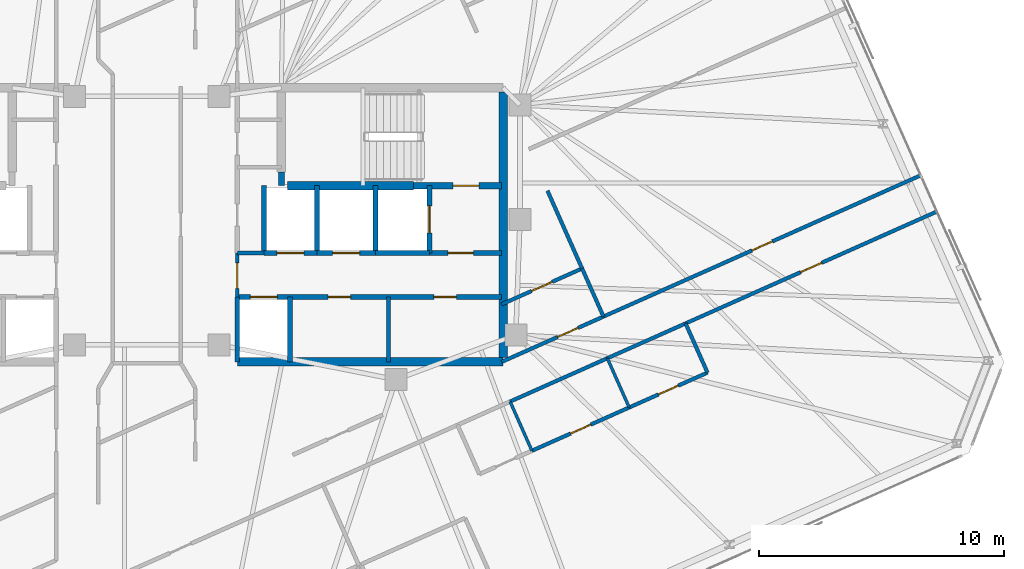
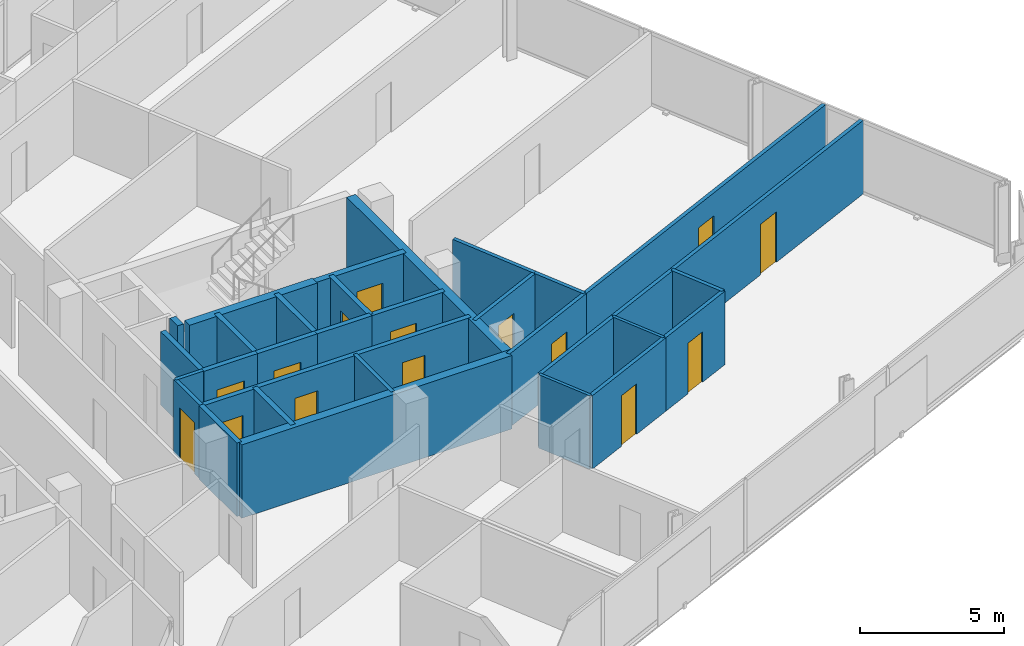
# One storey, part 15 of 19: 32 walls, 15 doors, 15 openings.
"""IFC4 building model written with IfcOpenShell, lengths in metres."""

from ifc_helpers import new_model, si_unit, direction, frame, frame_2d, origin, place, context, subcontext, project, spatial, rectangle, extrude, material, layer, layer_set, type_object, element, fill, save


model = new_model("IFC4")

# Units and contexts
model_context = context("Model", 3, precision=1e-05, world=origin(), true_north=direction((0.0, 1.0)))
body_context = subcontext(model_context, "Body", "Model", "MODEL_VIEW")
ifc_project = project(units=[si_unit("LENGTHUNIT", "METRE"), si_unit("AREAUNIT", "SQUARE_METRE"), si_unit("VOLUMEUNIT", "CUBIC_METRE"), si_unit("PLANEANGLEUNIT", "RADIAN"), si_unit("MASSUNIT", "GRAM", prefix="KILO")], contexts=[model_context])

# Site, building, storey
site_placement = place(None, origin())
site = spatial("IfcSite", under=ifc_project, at=site_placement, CompositionType="ELEMENT")
building_placement = place(site_placement, origin())
building = spatial("IfcBuilding", under=site, at=building_placement, Name="Menara Jurai Vektor", CompositionType="ELEMENT")
storey_placement = place(building_placement, frame((0.0, 0.0, 291.949951171875)))
storey = spatial("IfcBuildingStorey", under=building, at=storey_placement, Name="L78", CompositionType="ELEMENT", Elevation=291.949951171875)

# Wall, opening, door
ifc_material_1 = material(Name="Concrete C40/50", Category="concrete")
ifc_layer_1 = layer(ifc_material_1, 0.25)
ifc_layer_set_1 = layer_set([ifc_layer_1], Name="Concrete C40/50")
wall_type_1 = type_object("IfcWallType", Name="INT-WALL-CORE-250", PredefinedType="STANDARD", material=ifc_layer_set_1)
wall_1_placement = place(storey_placement, frame((10.89990234375, 1.60009765625, 0.0), z_axis=(0.0, 0.0, 1.0), x_axis=(1.0, 0.0, 0.0)))
wall_1 = element("IfcWall", 1, at=wall_1_placement, inside=storey, type_object=wall_type_1, Name="Interior Wall IW-250 L78", PredefinedType="STANDARD", context=body_context, shape_type="SweptSolid", body=[
    extrude(rectangle(XDim=3.60009765625, YDim=0.25, at=frame_2d((1.800048828125, 0.0))), origin(), (0.0, 0.0, 1.0), 3.125),
])
opening_1_placement = place(wall_1_placement, frame((1.6201171875, 0.0, 0.0)))
opening_1 = element("IfcOpeningElement", 2, at=opening_1_placement, cuts=wall_1, Name="Opening D-L78-ST2", PredefinedType="OPENING", context=body_context, shape_type="SweptSolid", body=[
    extrude(rectangle(XDim=1.050048828125, YDim=2.14990234375, at=frame_2d((0.52490234375, 1.074951171875))), frame((0.0, 0.135009765625, 0.0), z_axis=(0.0, -1.0, 0.0), x_axis=(1.0, 0.0, 0.0)), (0.0, 0.0, 1.0), 0.27001953125),
])
ifc_material_2 = material(Name="Fire-Rated Steel Door", Category="steel")
door_type_1 = type_object("IfcDoorType", Name="DR-STAIR-1050", OperationType="NOTDEFINED", PredefinedType="DOOR", material=ifc_material_2)
door_1_placement = place(opening_1_placement, origin())
door_1 = element("IfcDoor", 3, at=door_1_placement, inside=storey, type_object=door_type_1, Name="Exit Stair ST2 Door L78", OperationType="SINGLE_SWING_LEFT", OverallHeight=2.14990234375, OverallWidth=1.050048828125, PredefinedType="DOOR", context=body_context, shape_type="SweptSolid", body=[
    extrude(rectangle(XDim=1.050048828125, YDim=2.14990234375, at=frame_2d((0.52490234375, 1.074951171875))), frame((0.0, 0.02490234375, 0.0), z_axis=(0.0, -1.0, 0.0), x_axis=(1.0, 0.0, 0.0)), (0.0, 0.0, 1.0), 0.050048828125),
])
fill(opening_1, door_1)

# Wall
wall_2_placement = place(storey_placement, frame((5.5, 1.60009765625, 0.0), z_axis=(0.0, 0.0, 1.0), x_axis=(0.0, 1.0, 0.0)))
element("IfcWall", 4, at=wall_2_placement, inside=storey, type_object=wall_type_1, Name="Interior Wall IW-250 L78", PredefinedType="STANDARD", context=body_context, shape_type="SweptSolid", body=[
    extrude(rectangle(XDim=0.5498046875, YDim=0.25, at=frame_2d((0.27490234375, 0.0))), origin(), (0.0, 0.0, 1.0), 3.125),
])

# Wall, opening, door
wall_3_placement = place(storey_placement, frame((11.550048828125, -1.14990234375, 0.0), z_axis=(0.0, 0.0, 1.0), x_axis=(0.0, 1.0, 0.0)))
wall_3 = element("IfcWall", 5, at=wall_3_placement, inside=storey, type_object=wall_type_1, Name="Interior Wall IW-250 L78", PredefinedType="STANDARD", context=body_context, shape_type="SweptSolid", body=[
    extrude(rectangle(XDim=2.75, YDim=0.199951171875, at=frame_2d((1.375, 0.0))), origin(), (0.0, 0.0, 1.0), 3.125),
])
opening_2_placement = place(wall_3_placement, frame((0.824951171875, 0.0, 0.0)))
opening_2 = element("IfcOpeningElement", 6, at=opening_2_placement, cuts=wall_3, Name="Opening LD-L78-FL2", PredefinedType="OPENING", context=body_context, shape_type="SweptSolid", body=[
    extrude(rectangle(XDim=1.10009765625, YDim=2.14990234375, at=frame_2d((0.550048828125, 1.074951171875))), frame((0.0, 0.10986328125, 0.0), z_axis=(0.0, -1.0, 0.0), x_axis=(1.0, 0.0, 0.0)), (0.0, 0.0, 1.0), 0.219970703125),
])
ifc_material_3 = material(Name="Stainless Steel Sliding Lift Landing Door", Category="steel")
door_type_2 = type_object("IfcDoorType", Name="DR-LIFT-FIRE-1100", OperationType="NOTDEFINED", PredefinedType="DOOR", material=ifc_material_3)
door_2_placement = place(opening_2_placement, origin())
door_2 = element("IfcDoor", 7, at=door_2_placement, inside=storey, type_object=door_type_2, Name="Lift Landing Door FL2 L78", OperationType="SLIDING_TO_RIGHT", OverallHeight=2.14990234375, OverallWidth=1.10009765625, PredefinedType="DOOR", context=body_context, shape_type="SweptSolid", body=[
    extrude(rectangle(XDim=1.10009765625, YDim=2.14990234375, at=frame_2d((0.550048828125, 1.074951171875))), frame((0.0, 0.02490234375, 0.0), z_axis=(0.0, -1.0, 0.0), x_axis=(1.0, 0.0, 0.0)), (0.0, 0.0, 1.0), 0.050048828125),
])
fill(opening_2, door_2)

# Wall
wall_4_placement = place(storey_placement, frame((9.35009765625, -1.14990234375, 0.0), z_axis=(0.0, 0.0, 1.0), x_axis=(0.0, 1.0, 0.0)))
element("IfcWall", 8, at=wall_4_placement, inside=storey, type_object=wall_type_1, Name="Interior Wall IW-250 L78", PredefinedType="STANDARD", context=body_context, shape_type="SweptSolid", body=[
    extrude(rectangle(XDim=2.75, YDim=0.199951171875, at=frame_2d((1.375, 0.0))), origin(), (0.0, 0.0, 1.0), 3.125),
])

# Wall, opening, door
wall_5_placement = place(storey_placement, frame((11.550048828125, -1.14990234375, 0.0), z_axis=(0.0, 0.0, 1.0), x_axis=(1.0, 0.0, 0.0)))
wall_5 = element("IfcWall", 9, at=wall_5_placement, inside=storey, type_object=wall_type_1, Name="Interior Wall IW-250 L78", PredefinedType="STANDARD", context=body_context, shape_type="SweptSolid", body=[
    extrude(rectangle(XDim=2.949951171875, YDim=0.199951171875, at=frame_2d((1.47509765625, 0.0))), origin(), (0.0, 0.0, 1.0), 3.125),
])
opening_3_placement = place(wall_5_placement, frame((0.75, 0.0, 0.0)))
opening_3 = element("IfcOpeningElement", 10, at=opening_3_placement, cuts=wall_5, Name="Opening D-L78-FFE", PredefinedType="OPENING", context=body_context, shape_type="SweptSolid", body=[
    extrude(rectangle(XDim=1.050048828125, YDim=2.179931640625, at=frame_2d((0.52490234375, 1.08984375))), frame((0.0, 0.10986328125, 0.0), z_axis=(0.0, -1.0, 0.0), x_axis=(1.0, 0.0, 0.0)), (0.0, 0.0, 1.0), 0.219970703125),
])
ifc_material_4 = material(Name="Fire-Rated Timber Door", Category="wood")
door_type_3 = type_object("IfcDoorType", Name="DR-LOBBY-1050", OperationType="NOTDEFINED", PredefinedType="DOOR", material=ifc_material_4)
door_3_placement = place(opening_3_placement, origin())
door_3 = element("IfcDoor", 11, at=door_3_placement, inside=storey, type_object=door_type_3, Name="Fire Lift Lobby Door E L78", OperationType="SINGLE_SWING_LEFT", OverallHeight=2.179931640625, OverallWidth=1.050048828125, PredefinedType="DOOR", context=body_context, shape_type="SweptSolid", body=[
    extrude(rectangle(XDim=1.050048828125, YDim=2.179931640625, at=frame_2d((0.52490234375, 1.08984375))), frame((0.0, 0.02490234375, 0.0), z_axis=(0.0, -1.0, 0.0), x_axis=(1.0, 0.0, 0.0)), (0.0, 0.0, 1.0), 0.050048828125),
])
fill(opening_3, door_3)

# Wall
wall_6_placement = place(storey_placement, frame((9.35009765625, -1.14990234375, 0.0), z_axis=(0.0, 0.0, 1.0), x_axis=(1.0, 0.0, 0.0)))
element("IfcWall", 12, at=wall_6_placement, inside=storey, type_object=wall_type_1, Name="Interior Wall IW-250 L78", PredefinedType="STANDARD", context=body_context, shape_type="SweptSolid", body=[
    extrude(rectangle(XDim=2.199951171875, YDim=0.199951171875, at=frame_2d((1.10009765625, 0.0))), origin(), (0.0, 0.0, 1.0), 3.125),
])

# Wall, opening, door
ifc_material_5 = material(Name="Gypsum Fireboard Partition", Category="gypsum")
ifc_layer_2 = layer(ifc_material_5, 0.14990234375)
ifc_layer_set_2 = layer_set([ifc_layer_2], Name="Gypsum Fireboard Partition")
wall_type_2 = type_object("IfcWallType", Name="INT-WALL-CORR-150", PredefinedType="PARTITIONING", material=ifc_layer_set_2)
wall_7_placement = place(storey_placement, frame((3.699951171875, -2.949951171875, 0.0), z_axis=(0.0, 0.0, 1.0), x_axis=(0.0, 1.0, 0.0)))
wall_7 = element("IfcWall", 13, at=wall_7_placement, inside=storey, type_object=wall_type_2, Name="Interior Wall IW-150 L78", PredefinedType="PARTITIONING", context=body_context, shape_type="SweptSolid", body=[
    extrude(rectangle(XDim=1.800048828125, YDim=0.14990234375, at=frame_2d((0.89990234375, 0.0))), origin(), (0.0, 0.0, 1.0), 3.125),
])
opening_4_placement = place(wall_7_placement, frame((0.35009765625, 0.0, 0.0)))
opening_4 = element("IfcOpeningElement", 14, at=opening_4_placement, cuts=wall_7, Name="Opening D-L78-LLE", PredefinedType="OPENING", context=body_context, shape_type="SweptSolid", body=[
    extrude(rectangle(XDim=1.050048828125, YDim=2.179931640625, at=frame_2d((0.52490234375, 1.08984375))), frame((0.0, 0.0849609375, 0.0), z_axis=(0.0, -1.0, 0.0), x_axis=(1.0, 0.0, 0.0)), (0.0, 0.0, 1.0), 0.169921875),
])
door_4_placement = place(opening_4_placement, frame((1.050048828125, 0.0, 0.0), z_axis=(0.0, 0.0, 1.0), x_axis=(-1.0, 0.0, 0.0)))
door_4 = element("IfcDoor", 15, at=door_4_placement, inside=storey, type_object=door_type_3, Name="Lift Lobby Corridor Door E L78", OperationType="SINGLE_SWING_RIGHT", OverallHeight=2.179931640625, OverallWidth=1.050048828125, PredefinedType="DOOR", context=body_context, shape_type="SweptSolid", body=[
    extrude(rectangle(XDim=1.050048828125, YDim=2.179931640625, at=frame_2d((0.52490234375, 1.08984375))), frame((0.0, 0.02490234375, 0.0), z_axis=(0.0, -1.0, 0.0), x_axis=(1.0, 0.0, 0.0)), (0.0, 0.0, 1.0), 0.050048828125),
])
fill(opening_4, door_4)

# Walls
wall_8_placement = place(storey_placement, frame((3.699951171875, -1.14990234375, 0.0), z_axis=(0.0, 0.0, 1.0), x_axis=(1.0, 0.0, 0.0)))
element("IfcWall", 16, at=wall_8_placement, inside=storey, type_object=wall_type_2, Name="Interior Wall IW-150 L78", PredefinedType="PARTITIONING", context=body_context, shape_type="SweptSolid", body=[
    extrude(rectangle(XDim=1.090087890625, YDim=0.14990234375, at=frame_2d((0.544921875, 0.0))), origin(), (0.0, 0.0, 1.0), 3.125),
])
wall_9_placement = place(storey_placement, frame((9.8798828125, -5.60009765625, 0.0), z_axis=(0.0, 0.0, 1.0), x_axis=(0.0, 1.0, 0.0)))
element("IfcWall", 17, at=wall_9_placement, inside=storey, type_object=wall_type_2, Name="Interior Wall IW-150 L78", PredefinedType="PARTITIONING", context=body_context, shape_type="SweptSolid", body=[
    extrude(rectangle(XDim=2.650146484375, YDim=0.14990234375, at=frame_2d((1.3251953125, 0.0))), origin(), (0.0, 0.0, 1.0), 3.125),
])

# Wall, opening, door
wall_10_placement = place(storey_placement, frame((22.015625, -4.027099609375, 0.0), z_axis=(0.0, 0.0, 1.0), x_axis=(0.913548968583, 0.406728757282, 0.0)))
wall_10 = element("IfcWall", 18, at=wall_10_placement, inside=storey, type_object=wall_type_2, Name="Interior Wall IW-150 L78", PredefinedType="PARTITIONING", context=body_context, shape_type="SweptSolid", body=[
    extrude(rectangle(XDim=11.2421875, YDim=0.14990234375, at=frame_2d((5.62109375, 0.0))), origin(), (0.0, 0.0, 1.0), 3.125),
])
opening_5_placement = place(wall_10_placement, frame((5.14599609375, 0.0, 0.0)))
opening_5 = element("IfcOpeningElement", 19, at=opening_5_placement, cuts=wall_10, Name="Opening D78-26", PredefinedType="OPENING", context=body_context, shape_type="SweptSolid", body=[
    extrude(rectangle(XDim=0.949951171875, YDim=2.14990234375, at=frame_2d((0.47509765625, 1.074951171875))), frame((0.0, 0.0849609375, 0.0), z_axis=(0.0, -1.0, 0.0), x_axis=(1.0, 0.0, 0.0)), (0.0, 0.0, 1.0), 0.169921875),
])
ifc_material_6 = material(Name="Solid Core Timber Fire Door", Category="wood")
door_type_4 = type_object("IfcDoorType", Name="DR-ENTRY-950", OperationType="NOTDEFINED", PredefinedType="DOOR", material=ifc_material_6)
door_5_placement = place(opening_5_placement, origin())
door_5 = element("IfcDoor", 20, at=door_5_placement, inside=storey, type_object=door_type_4, Name="Interior Door D78-26", OperationType="SINGLE_SWING_LEFT", OverallHeight=2.14990234375, OverallWidth=0.949951171875, PredefinedType="DOOR", context=body_context, shape_type="SweptSolid", body=[
    extrude(rectangle(XDim=0.949951171875, YDim=2.14990234375, at=frame_2d((0.47509765625, 1.074951171875))), frame((0.0, 0.02490234375, 0.0), z_axis=(0.0, -1.0, 0.0), x_axis=(1.0, 0.0, 0.0)), (0.0, 0.0, 1.0), 0.050048828125),
])
fill(opening_5, door_5)

# Walls
wall_11_placement = place(storey_placement, frame((14.844482421875, -7.22021484375, 0.0), z_axis=(0.0, 0.0, 1.0), x_axis=(0.913524337797, 0.406784075711, 0.0)))
element("IfcWall", 21, at=wall_11_placement, inside=storey, type_object=wall_type_2, Name="Interior Wall IW-150 L78", PredefinedType="PARTITIONING", context=body_context, shape_type="SweptSolid", body=[
    extrude(rectangle(XDim=4.35009765625, YDim=0.14990234375, at=frame_2d((2.175048828125, 0.0))), origin(), (0.0, 0.0, 1.0), 3.125),
])
wall_12_placement = place(storey_placement, frame((18.818359375, -5.45068359375, 0.0), z_axis=(0.0, 0.0, 1.0), x_axis=(0.913538066796, 0.406753242783, 0.0)))
element("IfcWall", 22, at=wall_12_placement, inside=storey, type_object=wall_type_2, Name="Interior Wall IW-150 L78", PredefinedType="PARTITIONING", context=body_context, shape_type="SweptSolid", body=[
    extrude(rectangle(XDim=3.499755859375, YDim=0.14990234375, at=frame_2d((1.75, 0.0))), origin(), (0.0, 0.0, 1.0), 3.125),
])

# Wall, opening, door
wall_13_placement = place(storey_placement, frame((14.499755859375, -5.600341796875, 0.0), z_axis=(0.0, 0.0, 1.0), x_axis=(0.913550607208, 0.406725076766, 0.0)))
wall_13 = element("IfcWall", 23, at=wall_13_placement, inside=storey, type_object=wall_type_2, Name="Interior Wall IW-150 L78", PredefinedType="PARTITIONING", context=body_context, shape_type="SweptSolid", body=[
    extrude(rectangle(XDim=4.555908203125, YDim=0.14990234375, at=frame_2d((2.27783203125, 0.0))), origin(), (0.0, 0.0, 1.0), 3.125),
])
opening_6_placement = place(wall_13_placement, frame((2.50146484375, 0.0, 0.0)))
opening_6 = element("IfcOpeningElement", 24, at=opening_6_placement, cuts=wall_13, Name="Opening D78-38", PredefinedType="OPENING", context=body_context, shape_type="SweptSolid", body=[
    extrude(rectangle(XDim=0.919921875, YDim=2.14990234375, at=frame_2d((0.4599609375, 1.074951171875))), frame((0.0, 0.0849609375, 0.0), z_axis=(0.0, -1.0, 0.0), x_axis=(1.0, 0.0, 0.0)), (0.0, 0.0, 1.0), 0.169921875),
])
door_6_placement = place(opening_6_placement, origin())
door_6 = element("IfcDoor", 25, at=door_6_placement, inside=storey, type_object=door_type_4, Name="Interior Door D78-38", OperationType="SINGLE_SWING_LEFT", OverallHeight=2.14990234375, OverallWidth=0.919921875, PredefinedType="DOOR", context=body_context, shape_type="SweptSolid", body=[
    extrude(rectangle(XDim=0.919921875, YDim=2.14990234375, at=frame_2d((0.4599609375, 1.074951171875))), frame((0.0, 0.02490234375, 0.0), z_axis=(0.0, -1.0, 0.0), x_axis=(1.0, 0.0, 0.0)), (0.0, 0.0, 1.0), 0.050048828125),
])
fill(opening_6, door_6)

wall_14_placement = place(storey_placement, frame((18.661865234375, -3.747314453125, 0.0), z_axis=(0.0, 0.0, 1.0), x_axis=(0.913544622417, 0.406738519018, 0.0)))
wall_14 = element("IfcWall", 26, at=wall_14_placement, inside=storey, type_object=wall_type_2, Name="Interior Wall IW-150 L78", PredefinedType="PARTITIONING", context=body_context, shape_type="SweptSolid", body=[
    extrude(rectangle(XDim=14.192138671875, YDim=0.14990234375, at=frame_2d((7.09619140625, 0.0))), origin(), (0.0, 0.0, 1.0), 3.125),
])
opening_7_placement = place(wall_14_placement, frame((6.635986328125, 0.0, 0.0)))
opening_7 = element("IfcOpeningElement", 27, at=opening_7_placement, cuts=wall_14, Name="Opening D78-49", PredefinedType="OPENING", context=body_context, shape_type="SweptSolid", body=[
    extrude(rectangle(XDim=0.919921875, YDim=2.14990234375, at=frame_2d((0.4599609375, 1.074951171875))), frame((0.0, 0.0849609375, 0.0), z_axis=(0.0, -1.0, 0.0), x_axis=(1.0, 0.0, 0.0)), (0.0, 0.0, 1.0), 0.169921875),
])
door_7_placement = place(opening_7_placement, origin())
door_7 = element("IfcDoor", 28, at=door_7_placement, inside=storey, type_object=door_type_4, Name="Interior Door D78-49", OperationType="SINGLE_SWING_RIGHT", OverallHeight=2.14990234375, OverallWidth=0.919921875, PredefinedType="DOOR", context=body_context, shape_type="SweptSolid", body=[
    extrude(rectangle(XDim=0.919921875, YDim=2.14990234375, at=frame_2d((0.4599609375, 1.074951171875))), frame((0.0, 0.02490234375, 0.0), z_axis=(0.0, -1.0, 0.0), x_axis=(1.0, 0.0, 0.0)), (0.0, 0.0, 1.0), 0.050048828125),
])
fill(opening_7, door_7)

wall_15_placement = place(storey_placement, frame((15.7392578125, -9.22998046875, 0.0), z_axis=(0.0, 0.0, 1.0), x_axis=(0.913545193015, 0.406737237438, 0.0)))
wall_15 = element("IfcWall", 29, at=wall_15_placement, inside=storey, type_object=wall_type_2, Name="Interior Wall IW-150 L78", PredefinedType="PARTITIONING", context=body_context, shape_type="SweptSolid", body=[
    extrude(rectangle(XDim=4.349853515625, YDim=0.14990234375, at=frame_2d((2.1748046875, 0.0))), origin(), (0.0, 0.0, 1.0), 3.125),
])
opening_8_placement = place(wall_15_placement, frame((1.72509765625, 0.0, 0.0)))
opening_8 = element("IfcOpeningElement", 30, at=opening_8_placement, cuts=wall_15, Name="Opening D78-28", PredefinedType="OPENING", context=body_context, shape_type="SweptSolid", body=[
    extrude(rectangle(XDim=0.89990234375, YDim=2.14990234375, at=frame_2d((0.449951171875, 1.074951171875))), frame((0.0, 0.0849609375, 0.0), z_axis=(0.0, -1.0, 0.0), x_axis=(1.0, 0.0, 0.0)), (0.0, 0.0, 1.0), 0.169921875),
])
ifc_material_7 = material(Name="Acoustic Timber Interior Door", Category="wood")
door_type_5 = type_object("IfcDoorType", Name="DR-ROOM-900", OperationType="NOTDEFINED", PredefinedType="DOOR", material=ifc_material_7)
door_8_placement = place(opening_8_placement, origin())
door_8 = element("IfcDoor", 31, at=door_8_placement, inside=storey, type_object=door_type_5, Name="Interior Door D78-28", OperationType="SINGLE_SWING_LEFT", OverallHeight=2.14990234375, OverallWidth=0.89990234375, PredefinedType="DOOR", context=body_context, shape_type="SweptSolid", body=[
    extrude(rectangle(XDim=0.89990234375, YDim=2.14990234375, at=frame_2d((0.449951171875, 1.074951171875))), frame((0.0, 0.02490234375, 0.0), z_axis=(0.0, -1.0, 0.0), x_axis=(1.0, 0.0, 0.0)), (0.0, 0.0, 1.0), 0.050048828125),
])
fill(opening_8, door_8)

wall_16_placement = place(storey_placement, frame((19.713134765625, -7.460693359375, 0.0), z_axis=(0.0, 0.0, 1.0), x_axis=(0.913549606868, 0.406727323635, 0.0)))
wall_16 = element("IfcWall", 32, at=wall_16_placement, inside=storey, type_object=wall_type_2, Name="Interior Wall IW-150 L78", PredefinedType="PARTITIONING", context=body_context, shape_type="SweptSolid", body=[
    extrude(rectangle(XDim=3.5, YDim=0.14990234375, at=frame_2d((1.75, 0.0))), origin(), (0.0, 0.0, 1.0), 3.125),
])
opening_9_placement = place(wall_16_placement, frame((1.31005859375, 0.0, 0.0)))
opening_9 = element("IfcOpeningElement", 33, at=opening_9_placement, cuts=wall_16, Name="Opening D78-29", PredefinedType="OPENING", context=body_context, shape_type="SweptSolid", body=[
    extrude(rectangle(XDim=0.8798828125, YDim=2.14990234375, at=frame_2d((0.43994140625, 1.074951171875))), frame((0.0, 0.0849609375, 0.0), z_axis=(0.0, -1.0, 0.0), x_axis=(1.0, 0.0, 0.0)), (0.0, 0.0, 1.0), 0.169921875),
])
ifc_material_8 = material(Name="Moisture-Resistant Timber Door", Category="wood")
door_type_6 = type_object("IfcDoorType", Name="DR-BATH-880", OperationType="NOTDEFINED", PredefinedType="DOOR", material=ifc_material_8)
door_9_placement = place(opening_9_placement, origin())
door_9 = element("IfcDoor", 34, at=door_9_placement, inside=storey, type_object=door_type_6, Name="Interior Door D78-29", OperationType="SINGLE_SWING_RIGHT", OverallHeight=2.14990234375, OverallWidth=0.8798828125, PredefinedType="DOOR", context=body_context, shape_type="SweptSolid", body=[
    extrude(rectangle(XDim=0.8798828125, YDim=2.14990234375, at=frame_2d((0.43994140625, 1.074951171875))), frame((0.0, 0.02490234375, 0.0), z_axis=(0.0, -1.0, 0.0), x_axis=(1.0, 0.0, 0.0)), (0.0, 0.0, 1.0), 0.050048828125),
])
fill(opening_9, door_9)

# Wall
wall_17_placement = place(storey_placement, frame((22.91064453125, -6.037109375, 0.0), z_axis=(0.0, 0.0, 1.0), x_axis=(-0.40677666873, 0.913527636022, 0.0)))
element("IfcWall", 35, at=wall_17_placement, inside=storey, type_object=wall_type_2, Name="Interior Wall IW-150 L78", PredefinedType="PARTITIONING", context=body_context, shape_type="SweptSolid", body=[
    extrude(rectangle(XDim=2.2001953125, YDim=0.14990234375, at=frame_2d((1.10009765625, 0.0))), origin(), (0.0, 0.0, 1.0), 3.125),
])

# Wall, opening, door
wall_18_placement = place(storey_placement, frame((14.5, -3.247802734375, 0.0), z_axis=(0.0, 0.0, 1.0), x_axis=(0.913542803573, 0.40674260416, 0.0)))
wall_18 = element("IfcWall", 36, at=wall_18_placement, inside=storey, type_object=wall_type_2, Name="Interior Wall IW-150 L78", PredefinedType="PARTITIONING", context=body_context, shape_type="SweptSolid", body=[
    extrude(rectangle(XDim=3.59912109375, YDim=0.14990234375, at=frame_2d((1.799560546875, 0.0))), origin(), (0.0, 0.0, 1.0), 3.125),
])
opening_10_placement = place(wall_18_placement, frame((1.339599609375, 0.0, 0.0)))
opening_10 = element("IfcOpeningElement", 37, at=opening_10_placement, cuts=wall_18, Name="Opening D78-39", PredefinedType="OPENING", context=body_context, shape_type="SweptSolid", body=[
    extrude(rectangle(XDim=0.919921875, YDim=2.14990234375, at=frame_2d((0.4599609375, 1.074951171875))), frame((0.0, 0.0849609375, 0.0), z_axis=(0.0, -1.0, 0.0), x_axis=(1.0, 0.0, 0.0)), (0.0, 0.0, 1.0), 0.169921875),
])
door_10_placement = place(opening_10_placement, origin())
door_10 = element("IfcDoor", 38, at=door_10_placement, inside=storey, type_object=door_type_4, Name="Interior Door D78-39", OperationType="SINGLE_SWING_RIGHT", OverallHeight=2.14990234375, OverallWidth=0.919921875, PredefinedType="DOOR", context=body_context, shape_type="SweptSolid", body=[
    extrude(rectangle(XDim=0.919921875, YDim=2.14990234375, at=frame_2d((0.4599609375, 1.074951171875))), frame((0.0, 0.02490234375, 0.0), z_axis=(0.0, -1.0, 0.0), x_axis=(1.0, 0.0, 0.0)), (0.0, 0.0, 1.0), 0.050048828125),
])
fill(opening_10, door_10)

# Walls
wall_19_placement = place(storey_placement, frame((18.661865234375, -3.747314453125, 0.0), z_axis=(0.0, 0.0, 1.0), x_axis=(-0.406686481677, 0.913567789286, 0.0)))
element("IfcWall", 39, at=wall_19_placement, inside=storey, type_object=wall_type_2, Name="Interior Wall IW-150 L78", PredefinedType="PARTITIONING", context=body_context, shape_type="SweptSolid", body=[
    extrude(rectangle(XDim=2.149169921875, YDim=0.14990234375, at=frame_2d((1.07470703125, 0.0))), origin(), (0.0, 0.0, 1.0), 3.125),
])
wall_20_placement = place(storey_placement, frame((17.787841796875, -1.783935546875, 0.0), z_axis=(0.0, 0.0, 1.0), x_axis=(-0.40673740295, 0.913545119324, 0.0)))
element("IfcWall", 40, at=wall_20_placement, inside=storey, type_object=wall_type_2, Name="Interior Wall IW-150 L78", PredefinedType="PARTITIONING", context=body_context, shape_type="SweptSolid", body=[
    extrude(rectangle(XDim=3.47900390625, YDim=0.14990234375, at=frame_2d((1.739501953125, 0.0))), origin(), (0.0, 0.0, 1.0), 3.125),
])
ifc_material_9 = material(Name="Gypsum Acoustic Stud Partition", Category="gypsum")
ifc_layer_3 = layer(ifc_material_9, 0.1201171875)
ifc_layer_set_3 = layer_set([ifc_layer_3], Name="Gypsum Acoustic Stud Partition")
wall_type_3 = type_object("IfcWallType", Name="INT-WALL-PART-120", PredefinedType="PARTITIONING", material=ifc_layer_set_3)
wall_21_placement = place(storey_placement, frame((15.7392578125, -9.22998046875, 0.0), z_axis=(0.0, 0.0, 1.0), x_axis=(-0.406725294076, 0.913550510459, 0.0)))
element("IfcWall", 41, at=wall_21_placement, inside=storey, type_object=wall_type_3, Name="Interior Wall IW-120 L78", PredefinedType="PARTITIONING", context=body_context, shape_type="SweptSolid", body=[
    extrude(rectangle(XDim=2.199951171875, YDim=0.1201171875, at=frame_2d((1.10009765625, 0.0))), origin(), (0.0, 0.0, 1.0), 3.125),
])
wall_22_placement = place(storey_placement, frame((19.713134765625, -7.460693359375, 0.0), z_axis=(0.0, 0.0, 1.0), x_axis=(-0.406684063321, 0.913568865845, 0.0)))
element("IfcWall", 42, at=wall_22_placement, inside=storey, type_object=wall_type_3, Name="Interior Wall IW-120 L78", PredefinedType="PARTITIONING", context=body_context, shape_type="SweptSolid", body=[
    extrude(rectangle(XDim=2.2001953125, YDim=0.1201171875, at=frame_2d((1.10009765625, 0.0))), origin(), (0.0, 0.0, 1.0), 3.125),
])
ifc_layer_4 = layer(ifc_material_1, 0.199951171875)
ifc_layer_set_4 = layer_set([ifc_layer_4], Name="Concrete C40/50")
wall_type_4 = type_object("IfcWallType", Name="INT-WALL-SHAFT-200", PredefinedType="STANDARD", material=ifc_layer_set_4)
wall_23_placement = place(storey_placement, frame((3.699951171875, -5.60009765625, 0.0), z_axis=(0.0, 0.0, 1.0), x_axis=(0.0, 1.0, 0.0)))
element("IfcWall", 43, at=wall_23_placement, inside=storey, type_object=wall_type_4, Name="Interior Wall IW-200 L78", PredefinedType="STANDARD", context=body_context, shape_type="SweptSolid", body=[
    extrude(rectangle(XDim=2.650146484375, YDim=0.199951171875, at=frame_2d((1.3251953125, 0.0))), origin(), (0.0, 0.0, 1.0), 3.125),
])
wall_24_placement = place(storey_placement, frame((6.949951171875, -1.14990234375, 0.0), z_axis=(0.0, 0.0, 1.0), x_axis=(0.0, 1.0, 0.0)))
element("IfcWall", 44, at=wall_24_placement, inside=storey, type_object=wall_type_4, Name="Interior Wall IW-200 L78", PredefinedType="STANDARD", context=body_context, shape_type="SweptSolid", body=[
    extrude(rectangle(XDim=2.75, YDim=0.199951171875, at=frame_2d((1.375, 0.0))), origin(), (0.0, 0.0, 1.0), 3.125),
])

# Wall, opening, door
wall_25_placement = place(storey_placement, frame((6.949951171875, -1.14990234375, 0.0), z_axis=(0.0, 0.0, 1.0), x_axis=(1.0, 0.0, 0.0)))
wall_25 = element("IfcWall", 45, at=wall_25_placement, inside=storey, type_object=wall_type_4, Name="Interior Wall IW-200 L78", PredefinedType="STANDARD", context=body_context, shape_type="SweptSolid", body=[
    extrude(rectangle(XDim=2.400146484375, YDim=0.199951171875, at=frame_2d((1.2001953125, 0.0))), origin(), (0.0, 0.0, 1.0), 3.125),
])
opening_11_placement = place(wall_25_placement, frame((0.64990234375, 0.0, 0.0)))
opening_11 = element("IfcOpeningElement", 46, at=opening_11_placement, cuts=wall_25, Name="Opening LD-L78-SVL2", PredefinedType="OPENING", context=body_context, shape_type="SweptSolid", body=[
    extrude(rectangle(XDim=1.10009765625, YDim=2.14990234375, at=frame_2d((0.550048828125, 1.074951171875))), frame((0.0, 0.10986328125, 0.0), z_axis=(0.0, -1.0, 0.0), x_axis=(1.0, 0.0, 0.0)), (0.0, 0.0, 1.0), 0.219970703125),
])
ifc_material_10 = material(Name="Anodised Stainless Sliding Lift Landing Door", Category="steel")
door_type_7 = type_object("IfcDoorType", Name="DR-LIFT-PASS-1100", OperationType="NOTDEFINED", PredefinedType="DOOR", material=ifc_material_10)
door_11_placement = place(opening_11_placement, origin())
door_11 = element("IfcDoor", 47, at=door_11_placement, inside=storey, type_object=door_type_7, Name="Lift Landing Door SVL2 L78", OperationType="SLIDING_TO_RIGHT", OverallHeight=2.14990234375, OverallWidth=1.10009765625, PredefinedType="DOOR", context=body_context, shape_type="SweptSolid", body=[
    extrude(rectangle(XDim=1.10009765625, YDim=2.14990234375, at=frame_2d((0.550048828125, 1.074951171875))), frame((0.0, 0.02490234375, 0.0), z_axis=(0.0, -1.0, 0.0), x_axis=(1.0, 0.0, 0.0)), (0.0, 0.0, 1.0), 0.050048828125),
])
fill(opening_11, door_11)

# Wall
wall_26_placement = place(storey_placement, frame((4.7900390625, -1.14990234375, 0.0), z_axis=(0.0, 0.0, 1.0), x_axis=(0.0, 1.0, 0.0)))
element("IfcWall", 48, at=wall_26_placement, inside=storey, type_object=wall_type_4, Name="Interior Wall IW-200 L78", PredefinedType="STANDARD", context=body_context, shape_type="SweptSolid", body=[
    extrude(rectangle(XDim=2.75, YDim=0.199951171875, at=frame_2d((1.375, 0.0))), origin(), (0.0, 0.0, 1.0), 3.125),
])

# Wall, opening, door
wall_27_placement = place(storey_placement, frame((4.7900390625, -1.14990234375, 0.0), z_axis=(0.0, 0.0, 1.0), x_axis=(1.0, 0.0, 0.0)))
wall_27 = element("IfcWall", 49, at=wall_27_placement, inside=storey, type_object=wall_type_4, Name="Interior Wall IW-200 L78", PredefinedType="STANDARD", context=body_context, shape_type="SweptSolid", body=[
    extrude(rectangle(XDim=2.159912109375, YDim=0.199951171875, at=frame_2d((1.080078125, 0.0))), origin(), (0.0, 0.0, 1.0), 3.125),
])
opening_12_placement = place(wall_27_placement, frame((0.530029296875, 0.0, 0.0)))
opening_12 = element("IfcOpeningElement", 50, at=opening_12_placement, cuts=wall_27, Name="Opening LD-L78-PH4", PredefinedType="OPENING", context=body_context, shape_type="SweptSolid", body=[
    extrude(rectangle(XDim=1.10009765625, YDim=2.14990234375, at=frame_2d((0.550048828125, 1.074951171875))), frame((0.0, 0.10986328125, 0.0), z_axis=(0.0, -1.0, 0.0), x_axis=(1.0, 0.0, 0.0)), (0.0, 0.0, 1.0), 0.219970703125),
])
door_12_placement = place(opening_12_placement, origin())
door_12 = element("IfcDoor", 51, at=door_12_placement, inside=storey, type_object=door_type_7, Name="Lift Landing Door PH4 L78", OperationType="SLIDING_TO_LEFT", OverallHeight=2.14990234375, OverallWidth=1.10009765625, PredefinedType="DOOR", context=body_context, shape_type="SweptSolid", body=[
    extrude(rectangle(XDim=1.10009765625, YDim=2.14990234375, at=frame_2d((0.550048828125, 1.074951171875))), frame((0.0, 0.02490234375, 0.0), z_axis=(0.0, -1.0, 0.0), x_axis=(1.0, 0.0, 0.0)), (0.0, 0.0, 1.0), 0.050048828125),
])
fill(opening_12, door_12)

# Wall, openings, doors
wall_28_placement = place(storey_placement, frame((3.699951171875, -2.949951171875, 0.0), z_axis=(0.0, 0.0, 1.0), x_axis=(1.0, 0.0, 0.0)))
wall_28 = element("IfcWall", 52, at=wall_28_placement, inside=storey, type_object=wall_type_4, Name="Interior Wall IW-200 L78", PredefinedType="STANDARD", context=body_context, shape_type="SweptSolid", body=[
    extrude(rectangle(XDim=10.800048828125, YDim=0.199951171875, at=frame_2d((5.39990234375, 0.0))), origin(), (0.0, 0.0, 1.0), 3.125),
])
opening_13_placement = place(wall_28_placement, frame((0.530029296875, 0.0, 0.0)))
opening_13 = element("IfcOpeningElement", 53, at=opening_13_placement, cuts=wall_28, Name="Opening LD-L78-PH3", PredefinedType="OPENING", context=body_context, shape_type="SweptSolid", body=[
    extrude(rectangle(XDim=1.10009765625, YDim=2.14990234375, at=frame_2d((0.550048828125, 1.074951171875))), frame((0.0, 0.10986328125, 0.0), z_axis=(0.0, -1.0, 0.0), x_axis=(1.0, 0.0, 0.0)), (0.0, 0.0, 1.0), 0.219970703125),
])
opening_14_placement = place(wall_28_placement, frame((3.7099609375, 0.0, 0.0)))
opening_14 = element("IfcOpeningElement", 54, at=opening_14_placement, cuts=wall_28, Name="Opening D78-04", PredefinedType="OPENING", context=body_context, shape_type="SweptSolid", body=[
    extrude(rectangle(XDim=0.919921875, YDim=2.14990234375, at=frame_2d((0.4599609375, 1.074951171875))), frame((0.0, 0.10986328125, 0.0), z_axis=(0.0, -1.0, 0.0), x_axis=(1.0, 0.0, 0.0)), (0.0, 0.0, 1.0), 0.219970703125),
])
opening_15_placement = place(wall_28_placement, frame((8.030029296875, 0.0, 0.0)))
opening_15 = element("IfcOpeningElement", 55, at=opening_15_placement, cuts=wall_28, Name="Opening D78-05", PredefinedType="OPENING", context=body_context, shape_type="SweptSolid", body=[
    extrude(rectangle(XDim=0.919921875, YDim=2.14990234375, at=frame_2d((0.4599609375, 1.074951171875))), frame((0.0, 0.10986328125, 0.0), z_axis=(0.0, -1.0, 0.0), x_axis=(1.0, 0.0, 0.0)), (0.0, 0.0, 1.0), 0.219970703125),
])
door_13_placement = place(opening_14_placement, origin())
door_13 = element("IfcDoor", 56, at=door_13_placement, inside=storey, type_object=door_type_4, Name="Interior Door D78-04", OperationType="SINGLE_SWING_LEFT", OverallHeight=2.14990234375, OverallWidth=0.919921875, PredefinedType="DOOR", context=body_context, shape_type="SweptSolid", body=[
    extrude(rectangle(XDim=0.919921875, YDim=2.14990234375, at=frame_2d((0.4599609375, 1.074951171875))), frame((0.0, 0.02490234375, 0.0), z_axis=(0.0, -1.0, 0.0), x_axis=(1.0, 0.0, 0.0)), (0.0, 0.0, 1.0), 0.050048828125),
])
fill(opening_14, door_13)
door_14_placement = place(opening_15_placement, origin())
door_14 = element("IfcDoor", 57, at=door_14_placement, inside=storey, type_object=door_type_4, Name="Interior Door D78-05", OperationType="SINGLE_SWING_RIGHT", OverallHeight=2.14990234375, OverallWidth=0.919921875, PredefinedType="DOOR", context=body_context, shape_type="SweptSolid", body=[
    extrude(rectangle(XDim=0.919921875, YDim=2.14990234375, at=frame_2d((0.4599609375, 1.074951171875))), frame((0.0, 0.02490234375, 0.0), z_axis=(0.0, -1.0, 0.0), x_axis=(1.0, 0.0, 0.0)), (0.0, 0.0, 1.0), 0.050048828125),
])
fill(opening_15, door_14)
door_15_placement = place(opening_13_placement, origin())
door_15 = element("IfcDoor", 58, at=door_15_placement, inside=storey, type_object=door_type_7, Name="Lift Landing Door PH3 L78", OperationType="SLIDING_TO_RIGHT", OverallHeight=2.14990234375, OverallWidth=1.10009765625, PredefinedType="DOOR", context=body_context, shape_type="SweptSolid", body=[
    extrude(rectangle(XDim=1.10009765625, YDim=2.14990234375, at=frame_2d((0.550048828125, 1.074951171875))), frame((0.0, 0.02490234375, 0.0), z_axis=(0.0, -1.0, 0.0), x_axis=(1.0, 0.0, 0.0)), (0.0, 0.0, 1.0), 0.050048828125),
])
fill(opening_13, door_15)

# Walls
wall_29_placement = place(storey_placement, frame((5.860107421875, -5.60009765625, 0.0), z_axis=(0.0, 0.0, 1.0), x_axis=(0.0, 1.0, 0.0)))
element("IfcWall", 59, at=wall_29_placement, inside=storey, type_object=wall_type_4, Name="Interior Wall IW-200 L78", PredefinedType="STANDARD", context=body_context, shape_type="SweptSolid", body=[
    extrude(rectangle(XDim=2.650146484375, YDim=0.199951171875, at=frame_2d((1.3251953125, 0.0))), origin(), (0.0, 0.0, 1.0), 3.125),
])
ifc_material_11 = material(Name="Concrete C50/60", Category="concrete")
ifc_layer_5 = layer(ifc_material_11, 0.35009765625)
ifc_layer_set_5 = layer_set([ifc_layer_5], Name="Concrete C50/60")
wall_type_5 = type_object("IfcWallType", Name="STR-WALL-CORE350", PredefinedType="SHEAR", material=ifc_layer_set_5)
wall_30_placement = place(storey_placement, frame((3.699951171875, -5.60009765625, 0.0), z_axis=(0.0, 0.0, 1.0), x_axis=(1.0, 0.0, 0.0)))
element("IfcWall", 60, at=wall_30_placement, inside=storey, type_object=wall_type_5, Name="Core Shear Wall CW-E-S L78", PredefinedType="SHEAR", context=body_context, shape_type="SweptSolid", body=[
    extrude(rectangle(XDim=10.860107421875, YDim=0.35009765625, at=frame_2d((5.43017578125, 0.0))), origin(), (0.0, 0.0, 1.0), 3.125),
])
wall_31_placement = place(storey_placement, frame((14.56005859375, -5.425048828125, 0.0), z_axis=(0.0, 0.0, 1.0), x_axis=(0.0, 1.0, 0.0)))
element("IfcWall", 61, at=wall_31_placement, inside=storey, type_object=wall_type_5, Name="Core Shear Wall CW-E-E L78", PredefinedType="SHEAR", context=body_context, shape_type="SweptSolid", body=[
    extrude(rectangle(XDim=10.85009765625, YDim=0.35009765625, at=frame_2d((5.425048828125, 0.0))), origin(), (0.0, 0.0, 1.0), 3.125),
])
wall_32_placement = place(storey_placement, frame((5.75, 1.60009765625, 0.0), z_axis=(0.0, 0.0, 1.0), x_axis=(1.0, 0.0, 0.0)))
element("IfcWall", 62, at=wall_32_placement, inside=storey, type_object=wall_type_5, Name="Core Shear Wall CW-E-STS L78", PredefinedType="SHEAR", context=body_context, shape_type="SweptSolid", body=[
    extrude(rectangle(XDim=5.14990234375, YDim=0.35009765625, at=frame_2d((2.574951171875, 0.0))), origin(), (0.0, 0.0, 1.0), 3.125),
])

save(model, "model.ifc")
